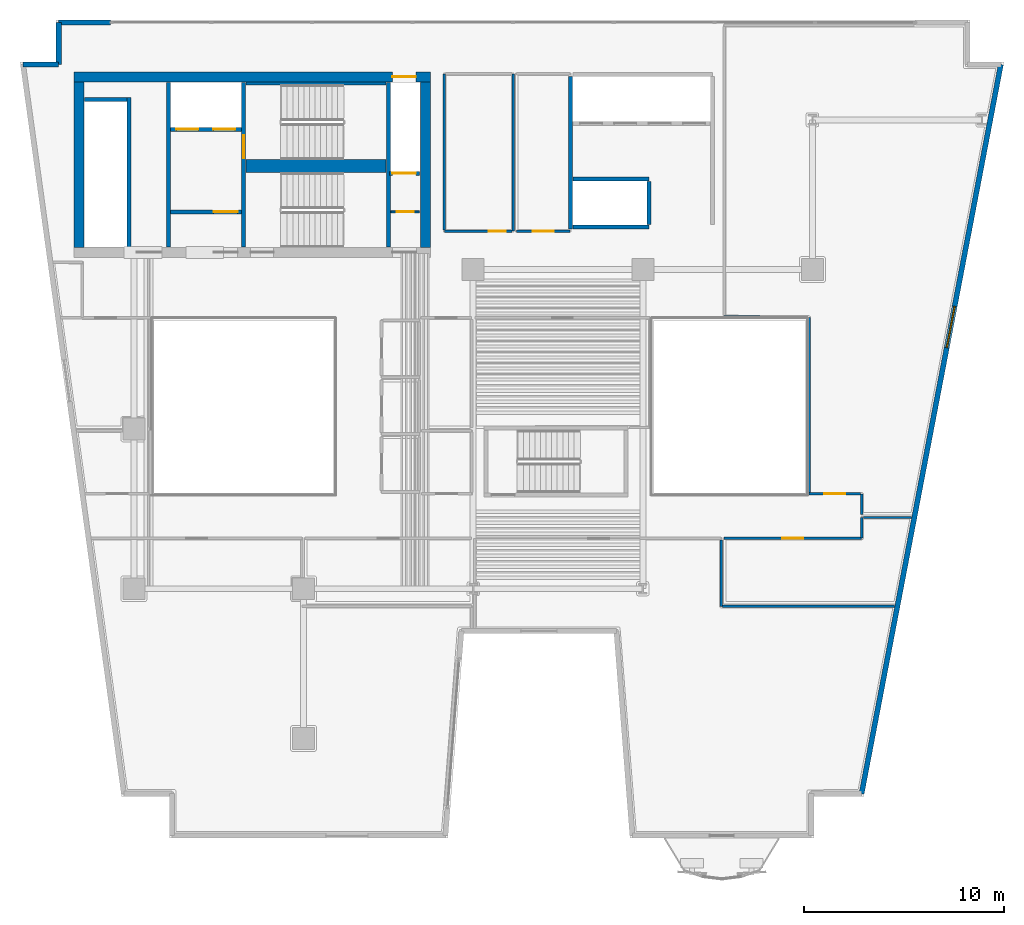
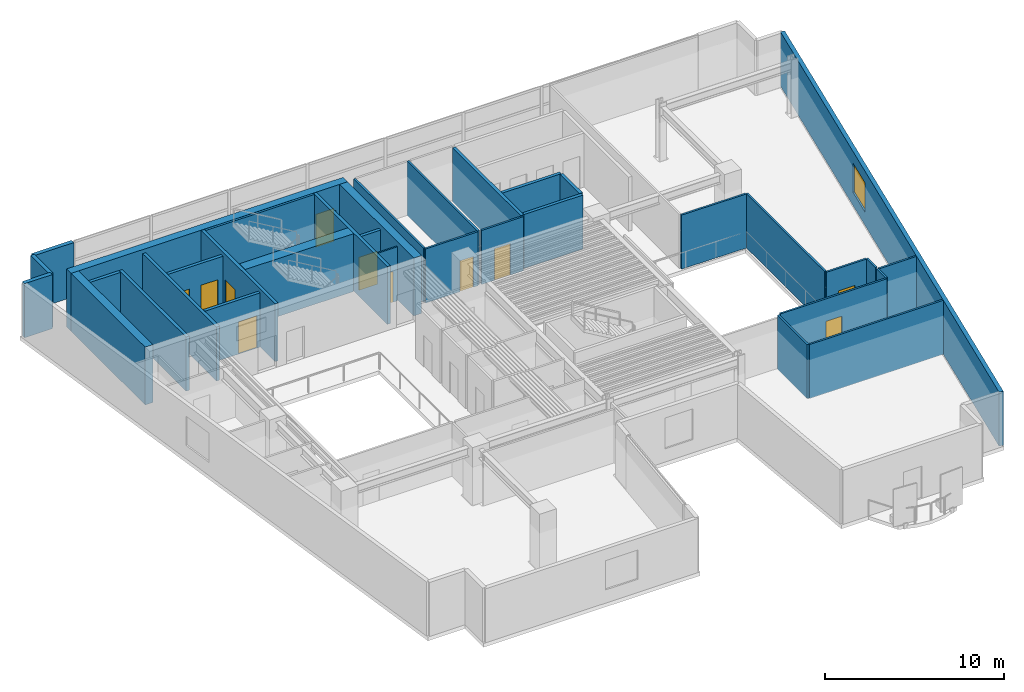
# One storey, part 7 of 12: 35 walls, 11 doors, 1 window, 12 openings.
"""IFC4 building model written with IfcOpenShell, lengths in metres."""

from ifc_helpers import new_model, si_unit, direction, frame, frame_2d, origin, place, context, subcontext, project, spatial, rectangle, extrude, material, layer, layer_set, type_object, element, fill, save


model = new_model("IFC4")

# Units and contexts
model_context = context("Model", 3, precision=1e-05, world=origin(), true_north=direction((0.0, 1.0)))
body_context = subcontext(model_context, "Body", "Model", "MODEL_VIEW")
ifc_project = project(units=[si_unit("LENGTHUNIT", "METRE"), si_unit("AREAUNIT", "SQUARE_METRE"), si_unit("VOLUMEUNIT", "CUBIC_METRE"), si_unit("PLANEANGLEUNIT", "RADIAN"), si_unit("MASSUNIT", "GRAM", prefix="KILO")], contexts=[model_context])

# Site, building, storey
site_placement = place(None, origin())
site = spatial("IfcSite", under=ifc_project, at=site_placement, CompositionType="ELEMENT")
building_placement = place(site_placement, origin())
building = spatial("IfcBuilding", under=site, at=building_placement, Name="Caeloran Harvest Quay", CompositionType="ELEMENT")
storey_placement = place(building_placement, frame((0.0, 0.0, 115.35009765625)))
storey = spatial("IfcBuildingStorey", under=building, at=storey_placement, Name="L26", CompositionType="ELEMENT", Elevation=115.35009765625)

# Walls
ifc_material_1 = material(Name="Precast concrete C50/60", Category="concrete")
ifc_layer_1 = layer(ifc_material_1, 0.260009765625, Name="Precast concrete C50/60")
ifc_layer_set_1 = layer_set([ifc_layer_1], Name="Precast concrete C50/60")
wall_type_1 = type_object("IfcWallType", Name="ENV-WALL-EW-260", PredefinedType="STANDARD", material=ifc_layer_set_1)
wall_1_placement = place(storey_placement, frame((2.939697265625, 41.27001953125, 0.0), z_axis=(0.0, 0.0, 1.0), x_axis=(1.0, 0.0, 0.0)))
element("IfcWall", 1, at=wall_1_placement, inside=storey, type_object=wall_type_1, Name="L26 Exterior Precast Concrete Facade Wall 4", PredefinedType="STANDARD", context=body_context, shape_type="SweptSolid", body=[
    extrude(rectangle(XDim=1.790283203125, YDim=0.260009765625, at=frame_2d((0.89501953125, 0.0))), origin(), (0.0, 0.0, 1.0), 3.68994140625),
])
wall_2_placement = place(storey_placement, frame((4.72998046875, 41.27001953125, 0.0), z_axis=(0.0, 0.0, 1.0), x_axis=(0.0, 1.0, 0.0)))
element("IfcWall", 2, at=wall_2_placement, inside=storey, type_object=wall_type_1, Name="L26 Exterior Precast Concrete Facade Wall 5", PredefinedType="STANDARD", context=body_context, shape_type="SweptSolid", body=[
    extrude(rectangle(XDim=2.10009765625, YDim=0.260009765625, at=frame_2d((1.050048828125, 0.0))), origin(), (0.0, 0.0, 1.0), 3.68994140625),
])
wall_3_placement = place(storey_placement, frame((4.72998046875, 43.3701171875, 0.0), z_axis=(0.0, 0.0, 1.0), x_axis=(1.0, 0.0, 0.0)))
element("IfcWall", 3, at=wall_3_placement, inside=storey, type_object=wall_type_1, Name="L26 Exterior Facade Corner Pier Wall 6A", PredefinedType="STANDARD", context=body_context, shape_type="SweptSolid", body=[
    extrude(rectangle(XDim=2.60009765625, YDim=0.260009765625, at=frame_2d((1.300048828125, 0.0))), origin(), (0.0, 0.0, 1.0), 3.68994140625),
])

# Wall, opening, window
wall_4_placement = place(storey_placement, frame((51.94189453125, 41.27001953125, 0.0), z_axis=(0.0, 0.0, 1.0), x_axis=(-0.187592192405, -0.982247000173, 0.0)))
wall_4 = element("IfcWall", 4, at=wall_4_placement, inside=storey, type_object=wall_type_1, Name="L26 Exterior Precast Concrete Facade Wall 9", PredefinedType="STANDARD", context=body_context, shape_type="SweptSolid", body=[
    extrude(rectangle(XDim=37.200439453125, YDim=0.260009765625, at=frame_2d((18.60009765625, 0.0))), origin(), (0.0, 0.0, 1.0), 3.68994140625),
])
opening_1_placement = place(wall_4_placement, frame((12.342041015625, 0.0, 0.89990234375)))
opening_1 = element("IfcOpeningElement", 5, at=opening_1_placement, cuts=wall_4, Name="Opening W-06", PredefinedType="OPENING", context=body_context, shape_type="SweptSolid", body=[
    extrude(rectangle(XDim=2.10009765625, YDim=2.0, at=frame_2d((1.050048828125, 1.0))), frame((0.0, 0.14013671875, 0.0), z_axis=(0.0, -1.0, 0.0), x_axis=(1.0, 0.0, 0.0)), (0.0, 0.0, 1.0), 0.280029296875),
])
ifc_material_2 = material(Name="Aluminium-Framed Low-E Laminated Glass", Category="aluminium")
window_type = type_object("IfcWindowType", Name="WIN-W-06", PartitioningType="DOUBLE_PANEL_VERTICAL", PredefinedType="WINDOW", material=ifc_material_2)
window_placement = place(opening_1_placement, origin())
window = element("IfcWindow", 6, at=window_placement, inside=storey, type_object=window_type, Name="L26 Facade Punched Window W-06", OverallHeight=2.0, OverallWidth=2.10009765625, PartitioningType="DOUBLE_PANEL_VERTICAL", PredefinedType="WINDOW", context=body_context, shape_type="SweptSolid", body=[
    extrude(rectangle(XDim=2.10009765625, YDim=2.0, at=frame_2d((1.050048828125, 1.0))), frame((0.0, 0.030029296875, 0.0), z_axis=(0.0, -1.0, 0.0), x_axis=(1.0, 0.0, 0.0)), (0.0, 0.0, 1.0), 0.06005859375),
])
fill(opening_1, window)

# Wall, opening, door
ifc_material_3 = material(Name="Fire-Resisting Gypsum Core Riser Partition", Category="gypsum")
ifc_layer_2 = layer(ifc_material_3, 0.10009765625, Name="Fire-Resisting Gypsum Core Riser Partition")
ifc_layer_set_2 = layer_set([ifc_layer_2], Name="Fire-Resisting Gypsum Core Riser Partition")
wall_type_2 = type_object("IfcWallType", Name="INT-WALL-PW-100", PredefinedType="PARTITIONING", material=ifc_layer_set_2)
wall_5_placement = place(storey_placement, frame((21.3798828125, 33.889892578125, 0.0), z_axis=(0.0, 0.0, 1.0), x_axis=(1.0, 0.0, 0.0)))
wall_5 = element("IfcWall", 7, at=wall_5_placement, inside=storey, type_object=wall_type_2, Name="L26 Cleaner Store Partition Wall", PredefinedType="PARTITIONING", context=body_context, shape_type="SweptSolid", body=[
    extrude(rectangle(XDim=1.420166015625, YDim=0.10009765625, at=frame_2d((0.7099609375, 0.0))), origin(), (0.0, 0.0, 1.0), 3.68994140625),
])
opening_2_placement = place(wall_5_placement, frame((0.280029296875, 0.0, 0.0)))
opening_2 = element("IfcOpeningElement", 8, at=opening_2_placement, cuts=wall_5, Name="Opening SV-01", PredefinedType="OPENING", context=body_context, shape_type="SweptSolid", body=[
    extrude(rectangle(XDim=0.85009765625, YDim=2.10009765625, at=frame_2d((0.425048828125, 1.050048828125))), frame((0.0, 0.06005859375, 0.0), z_axis=(0.0, -1.0, 0.0), x_axis=(1.0, 0.0, 0.0)), (0.0, 0.0, 1.0), 0.1201171875),
])
ifc_material_4 = material(Name="Galvanized Painted Steel", Category="steel")
door_type_1 = type_object("IfcDoorType", Name="INTDOOR-SV-01", OperationType="NOTDEFINED", PredefinedType="DOOR", material=ifc_material_4)
door_1_placement = place(opening_2_placement, origin())
door_1 = element("IfcDoor", 9, at=door_1_placement, inside=storey, type_object=door_type_1, Name="L26 Cleaner Supply Store Access Door", OperationType="SINGLE_SWING_RIGHT", OverallHeight=2.10009765625, OverallWidth=0.85009765625, PredefinedType="DOOR", context=body_context, shape_type="SweptSolid", body=[
    extrude(rectangle(XDim=0.85009765625, YDim=2.10009765625, at=frame_2d((0.425048828125, 1.050048828125))), frame((0.0, 0.02490234375, 0.0), z_axis=(0.0, -1.0, 0.0), x_axis=(1.0, 0.0, 0.0)), (0.0, 0.0, 1.0), 0.050048828125),
])
fill(opening_2, door_1)

# Wall
ifc_material_5 = material(Name="Twin-Stud Mineral-Wool Acoustic Gypsum Partition", Category="gypsum")
ifc_layer_3 = layer(ifc_material_5, 0.125, Name="Twin-Stud Mineral-Wool Acoustic Gypsum Partition")
ifc_layer_set_3 = layer_set([ifc_layer_3], Name="Twin-Stud Mineral-Wool Acoustic Gypsum Partition")
wall_type_3 = type_object("IfcWallType", Name="INT-WALL-PW-125", PredefinedType="PARTITIONING", material=ifc_layer_set_3)
wall_6_placement = place(storey_placement, frame((27.5, 40.800048828125, 0.0), z_axis=(0.0, 0.0, 1.0), x_axis=(0.0, -1.0, 0.0)))
element("IfcWall", 10, at=wall_6_placement, inside=storey, type_object=wall_type_3, Name="L26 Bioinformatics Briefing Lounge Partition Wall", PredefinedType="PARTITIONING", context=body_context, shape_type="SweptSolid", body=[
    extrude(rectangle(XDim=7.880126953125, YDim=0.125, at=frame_2d((3.93994140625, 0.0))), origin(), (0.0, 0.0, 1.0), 3.68994140625),
])

# Wall, opening, door
wall_7_placement = place(storey_placement, frame((27.4326171875, 32.919921875, 0.0), z_axis=(0.0, 0.0, 1.0), x_axis=(-1.0, 0.0, 0.0)))
wall_7 = element("IfcWall", 11, at=wall_7_placement, inside=storey, type_object=wall_type_3, Name="L26 Bioinformatics Briefing Lounge Partition Wall", PredefinedType="PARTITIONING", context=body_context, shape_type="SweptSolid", body=[
    extrude(rectangle(XDim=3.382568359375, YDim=0.125, at=frame_2d((1.69140625, 0.0))), origin(), (0.0, 0.0, 1.0), 3.68994140625),
])
opening_3_placement = place(wall_7_placement, frame((0.303466796875, 0.0, 0.0)))
opening_3 = element("IfcOpeningElement", 12, at=opening_3_placement, cuts=wall_7, Name="Opening SV-01", PredefinedType="OPENING", context=body_context, shape_type="SweptSolid", body=[
    extrude(rectangle(XDim=0.85009765625, YDim=2.10009765625, at=frame_2d((0.425048828125, 1.050048828125))), frame((0.0, 0.072509765625, 0.0), z_axis=(0.0, -1.0, 0.0), x_axis=(1.0, 0.0, 0.0)), (0.0, 0.0, 1.0), 0.14501953125),
])
door_2_placement = place(opening_3_placement, origin())
door_2 = element("IfcDoor", 13, at=door_2_placement, inside=storey, type_object=door_type_1, Name="L26 Bioinformatics Briefing Lounge Access Door", OperationType="SINGLE_SWING_RIGHT", OverallHeight=2.10009765625, OverallWidth=0.85009765625, PredefinedType="DOOR", context=body_context, shape_type="SweptSolid", body=[
    extrude(rectangle(XDim=0.85009765625, YDim=2.10009765625, at=frame_2d((0.425048828125, 1.050048828125))), frame((0.0, 0.02490234375, 0.0), z_axis=(0.0, -1.0, 0.0), x_axis=(1.0, 0.0, 0.0)), (0.0, 0.0, 1.0), 0.050048828125),
])
fill(opening_3, door_2)

# Wall
wall_8_placement = place(storey_placement, frame((24.050048828125, 32.987548828125, 0.0), z_axis=(0.0, 0.0, 1.0), x_axis=(0.0, 1.0, 0.0)))
element("IfcWall", 14, at=wall_8_placement, inside=storey, type_object=wall_type_3, Name="L26 Bioinformatics Briefing Lounge Partition Wall", PredefinedType="PARTITIONING", context=body_context, shape_type="SweptSolid", body=[
    extrude(rectangle(XDim=7.8125, YDim=0.125, at=frame_2d((3.90625, 0.0))), origin(), (0.0, 0.0, 1.0), 3.68994140625),
])

# Wall, opening, door
wall_9_placement = place(storey_placement, frame((30.35009765625, 32.919921875, 0.0), z_axis=(0.0, 0.0, 1.0), x_axis=(-1.0, 0.0, 0.0)))
wall_9 = element("IfcWall", 15, at=wall_9_placement, inside=storey, type_object=wall_type_3, Name="L26 Seed Imaging Laboratory Partition Wall", PredefinedType="PARTITIONING", context=body_context, shape_type="SweptSolid", body=[
    extrude(rectangle(XDim=2.690185546875, YDim=0.125, at=frame_2d((1.34521484375, 0.0))), origin(), (0.0, 0.0, 1.0), 3.68994140625),
])
opening_4_placement = place(wall_9_placement, frame((0.820068359375, 0.0, 0.0)))
opening_4 = element("IfcOpeningElement", 16, at=opening_4_placement, cuts=wall_9, Name="Opening ID-03", PredefinedType="OPENING", context=body_context, shape_type="SweptSolid", body=[
    extrude(rectangle(XDim=1.050048828125, YDim=2.14990234375, at=frame_2d((0.52490234375, 1.074951171875))), frame((0.0, 0.072509765625, 0.0), z_axis=(0.0, -1.0, 0.0), x_axis=(1.0, 0.0, 0.0)), (0.0, 0.0, 1.0), 0.14501953125),
])
ifc_material_6 = material(Name="FSC Solid-Core Oak Timber Leaf", Category="wood")
door_type_2 = type_object("IfcDoorType", Name="INTDOOR-ID-03", OperationType="NOTDEFINED", PredefinedType="DOOR", material=ifc_material_6)
door_3_placement = place(opening_4_placement, origin())
door_3 = element("IfcDoor", 17, at=door_3_placement, inside=storey, type_object=door_type_2, Name="L26 Seed Imaging Laboratory Access Door", OperationType="SINGLE_SWING_LEFT", OverallHeight=2.14990234375, OverallWidth=1.050048828125, PredefinedType="DOOR", context=body_context, shape_type="SweptSolid", body=[
    extrude(rectangle(XDim=1.050048828125, YDim=2.14990234375, at=frame_2d((0.52490234375, 1.074951171875))), frame((0.0, 0.02490234375, 0.0), z_axis=(0.0, -1.0, 0.0), x_axis=(1.0, 0.0, 0.0)), (0.0, 0.0, 1.0), 0.050048828125),
])
fill(opening_4, door_3)

# Walls
wall_10_placement = place(storey_placement, frame((37.919921875, 17.452392578125, 0.0), z_axis=(0.0, 0.0, 1.0), x_axis=(0.0, -1.0, 0.0)))
element("IfcWall", 18, at=wall_10_placement, inside=storey, type_object=wall_type_3, Name="Crop Genomics Wet Laboratory Partition Wall", PredefinedType="PARTITIONING", context=body_context, shape_type="SweptSolid", body=[
    extrude(rectangle(XDim=3.332275390625, YDim=0.125, at=frame_2d((1.666015625, 0.0))), origin(), (0.0, 0.0, 1.0), 3.68994140625),
])
wall_11_placement = place(storey_placement, frame((37.987548828125, 14.1201171875, 0.0), z_axis=(0.0, 0.0, 1.0), x_axis=(1.0, 0.0, 0.0)))
element("IfcWall", 19, at=wall_11_placement, inside=storey, type_object=wall_type_3, Name="Crop Genomics Wet Laboratory Partition Wall", PredefinedType="PARTITIONING", context=body_context, shape_type="SweptSolid", body=[
    extrude(rectangle(XDim=8.6318359375, YDim=0.125, at=frame_2d((4.31591796875, 0.0))), origin(), (0.0, 0.0, 1.0), 3.68994140625),
])
wall_12_placement = place(storey_placement, frame((44.97998046875, 17.550048828125, 0.0), z_axis=(0.0, 0.0, 1.0), x_axis=(0.0, 1.0, 0.0)))
element("IfcWall", 20, at=wall_12_placement, inside=storey, type_object=wall_type_3, Name="Patent Strategy Office Partition Wall", PredefinedType="PARTITIONING", context=body_context, shape_type="SweptSolid", body=[
    extrude(rectangle(XDim=1.02001953125, YDim=0.125, at=frame_2d((0.510009765625, 0.0))), origin(), (0.0, 0.0, 1.0), 3.68994140625),
])
wall_13_placement = place(storey_placement, frame((45.047607421875, 18.570068359375, 0.0), z_axis=(0.0, 0.0, 1.0), x_axis=(1.0, 0.0, 0.0)))
element("IfcWall", 21, at=wall_13_placement, inside=storey, type_object=wall_type_3, Name="Patent Strategy Office Partition Wall", PredefinedType="PARTITIONING", context=body_context, shape_type="SweptSolid", body=[
    extrude(rectangle(XDim=2.421630859375, YDim=0.125, at=frame_2d((1.2109375, 0.0))), origin(), (0.0, 0.0, 1.0), 3.68994140625),
])

# Wall, opening, door
wall_14_placement = place(storey_placement, frame((38.080078125, 17.52001953125, 0.0), z_axis=(0.0, 0.0, 1.0), x_axis=(1.0, 0.0, 0.0)))
wall_14 = element("IfcWall", 22, at=wall_14_placement, inside=storey, type_object=wall_type_3, Name="Patent Strategy Office Partition Wall", PredefinedType="PARTITIONING", context=body_context, shape_type="SweptSolid", body=[
    extrude(rectangle(XDim=6.869873046875, YDim=0.125, at=frame_2d((3.43505859375, 0.0))), origin(), (0.0, 0.0, 1.0), 3.68994140625),
])
opening_5_placement = place(wall_14_placement, frame((2.909912109375, 0.0, 0.0)))
opening_5 = element("IfcOpeningElement", 23, at=opening_5_placement, cuts=wall_14, Name="Opening ID-03", PredefinedType="OPENING", context=body_context, shape_type="SweptSolid", body=[
    extrude(rectangle(XDim=1.050048828125, YDim=2.14990234375, at=frame_2d((0.52490234375, 1.074951171875))), frame((0.0, 0.072509765625, 0.0), z_axis=(0.0, -1.0, 0.0), x_axis=(1.0, 0.0, 0.0)), (0.0, 0.0, 1.0), 0.14501953125),
])
door_4_placement = place(opening_5_placement, origin())
door_4 = element("IfcDoor", 24, at=door_4_placement, inside=storey, type_object=door_type_2, Name="Patent Strategy Office Access Door", OperationType="SINGLE_SWING_RIGHT", OverallHeight=2.14990234375, OverallWidth=1.050048828125, PredefinedType="DOOR", context=body_context, shape_type="SweptSolid", body=[
    extrude(rectangle(XDim=1.050048828125, YDim=2.14990234375, at=frame_2d((0.52490234375, 1.074951171875))), frame((0.0, 0.02490234375, 0.0), z_axis=(0.0, -1.0, 0.0), x_axis=(1.0, 0.0, 0.0)), (0.0, 0.0, 1.0), 0.050048828125),
])
fill(opening_5, door_4)

# Wall
wall_15_placement = place(storey_placement, frame((44.97998046875, 18.72998046875, 0.0), z_axis=(0.0, 0.0, 1.0), x_axis=(0.0, 1.0, 0.0)))
element("IfcWall", 25, at=wall_15_placement, inside=storey, type_object=wall_type_3, Name="Phenotyping Sensor Laboratory 10 Partition Wall", PredefinedType="PARTITIONING", context=body_context, shape_type="SweptSolid", body=[
    extrude(rectangle(XDim=1.02001953125, YDim=0.125, at=frame_2d((0.510009765625, 0.0))), origin(), (0.0, 0.0, 1.0), 3.68994140625),
])

# Wall, opening, door
wall_16_placement = place(storey_placement, frame((44.91259765625, 19.75, 0.0), z_axis=(0.0, 0.0, 1.0), x_axis=(-1.0, 0.0, 0.0)))
wall_16 = element("IfcWall", 26, at=wall_16_placement, inside=storey, type_object=wall_type_3, Name="Phenotyping Sensor Laboratory 10 Partition Wall", PredefinedType="PARTITIONING", context=body_context, shape_type="SweptSolid", body=[
    extrude(rectangle(XDim=2.58251953125, YDim=0.125, at=frame_2d((1.291259765625, 0.0))), origin(), (0.0, 0.0, 1.0), 3.68994140625),
])
opening_6_placement = place(wall_16_placement, frame((0.766357421875, 0.0, 0.0)))
opening_6 = element("IfcOpeningElement", 27, at=opening_6_placement, cuts=wall_16, Name="Opening ID-03", PredefinedType="OPENING", context=body_context, shape_type="SweptSolid", body=[
    extrude(rectangle(XDim=1.050048828125, YDim=2.14990234375, at=frame_2d((0.52490234375, 1.074951171875))), frame((0.0, 0.072509765625, 0.0), z_axis=(0.0, -1.0, 0.0), x_axis=(1.0, 0.0, 0.0)), (0.0, 0.0, 1.0), 0.14501953125),
])
door_5_placement = place(opening_6_placement, origin())
door_5 = element("IfcDoor", 28, at=door_5_placement, inside=storey, type_object=door_type_2, Name="Phenotyping Sensor Laboratory 10 Access Door", OperationType="SINGLE_SWING_RIGHT", OverallHeight=2.14990234375, OverallWidth=1.050048828125, PredefinedType="DOOR", context=body_context, shape_type="SweptSolid", body=[
    extrude(rectangle(XDim=1.050048828125, YDim=2.14990234375, at=frame_2d((0.52490234375, 1.074951171875))), frame((0.0, 0.02490234375, 0.0), z_axis=(0.0, -1.0, 0.0), x_axis=(1.0, 0.0, 0.0)), (0.0, 0.0, 1.0), 0.050048828125),
])
fill(opening_6, door_5)

# Walls
wall_17_placement = place(storey_placement, frame((42.330078125, 19.8173828125, 0.0), z_axis=(0.0, 0.0, 1.0), x_axis=(0.0, 1.0, 0.0)))
element("IfcWall", 29, at=wall_17_placement, inside=storey, type_object=wall_type_3, Name="Phenotyping Sensor Laboratory 10 Partition Wall", PredefinedType="PARTITIONING", context=body_context, shape_type="SweptSolid", body=[
    extrude(rectangle(XDim=8.78271484375, YDim=0.125, at=frame_2d((4.391357421875, 0.0))), origin(), (0.0, 0.0, 1.0), 3.68994140625),
])
wall_18_placement = place(storey_placement, frame((42.262451171875, 28.6005859375, 0.0), z_axis=(0.0, 0.0, 1.0), x_axis=(-0.999975466976, 0.007004673168, 0.0)))
element("IfcWall", 30, at=wall_18_placement, inside=storey, type_object=wall_type_3, Name="Phenotyping Sensor Laboratory 10 Partition Wall", PredefinedType="PARTITIONING", context=body_context, shape_type="SweptSolid", body=[
    extrude(rectangle(XDim=4.182373046875, YDim=0.125, at=frame_2d((2.09130859375, 0.0))), origin(), (0.0, 0.0, 1.0), 3.68994140625),
])
ifc_material_7 = material(Name="Concrete C50/60", Category="concrete")
ifc_layer_4 = layer(ifc_material_7, 0.199951171875, Name="Concrete C50/60")
ifc_layer_set_4 = layer_set([ifc_layer_4], Name="Concrete C50/60")
wall_type_4 = type_object("IfcWallType", Name="INT-WALL-SW-200", PredefinedType="PARTITIONING", material=ifc_layer_set_4)
wall_19_placement = place(storey_placement, frame((8.260009765625, 32.1201171875, 0.0), z_axis=(0.0, 0.0, 1.0), x_axis=(0.0, 1.0, 0.0)))
element("IfcWall", 31, at=wall_19_placement, inside=storey, type_object=wall_type_4, Name="L26 Bank 3 Lift Shaft Wall", PredefinedType="PARTITIONING", context=body_context, shape_type="SweptSolid", body=[
    extrude(rectangle(XDim=7.5, YDim=0.199951171875, at=frame_2d((3.75, 0.0))), origin(), (0.0, 0.0, 1.0), 3.68994140625),
])
wall_20_placement = place(storey_placement, frame((6.02001953125, 39.52001953125, 0.0), z_axis=(0.0, 0.0, 1.0), x_axis=(1.0, 0.0, 0.0)))
element("IfcWall", 32, at=wall_20_placement, inside=storey, type_object=wall_type_4, Name="L26 Bank 3 Lift Shaft North End Wall", PredefinedType="PARTITIONING", context=body_context, shape_type="SweptSolid", body=[
    extrude(rectangle(XDim=2.119873046875, YDim=0.199951171875, at=frame_2d((1.06005859375, 0.0))), origin(), (0.0, 0.0, 1.0), 3.68994140625),
])
wall_21_placement = place(storey_placement, frame((10.219970703125, 32.1201171875, 0.0), z_axis=(0.0, 0.0, 1.0), x_axis=(0.0, 1.0, 0.0)))
element("IfcWall", 33, at=wall_21_placement, inside=storey, type_object=wall_type_4, Name="L26 Core Lobby Compartment Wall", PredefinedType="PARTITIONING", context=body_context, shape_type="SweptSolid", body=[
    extrude(rectangle(XDim=8.259765625, YDim=0.199951171875, at=frame_2d((4.1298828125, 0.0))), origin(), (0.0, 0.0, 1.0), 3.68994140625),
])

# Wall, openings, doors
wall_22_placement = place(storey_placement, frame((10.340087890625, 38.02001953125, 0.0), z_axis=(0.0, 0.0, 1.0), x_axis=(1.0, 0.0, 0.0)))
wall_22 = element("IfcWall", 34, at=wall_22_placement, inside=storey, type_object=wall_type_4, Name="L26 Firefighting Lift Shaft Wall", PredefinedType="PARTITIONING", context=body_context, shape_type="SweptSolid", body=[
    extrude(rectangle(XDim=3.539794921875, YDim=0.199951171875, at=frame_2d((1.77001953125, 0.0))), origin(), (0.0, 0.0, 1.0), 3.68994140625),
])
opening_7_placement = place(wall_22_placement, frame((0.284912109375, 0.0, 0.0)))
opening_7 = element("IfcOpeningElement", 35, at=opening_7_placement, cuts=wall_22, Name="Opening LD-01", PredefinedType="OPENING", context=body_context, shape_type="SweptSolid", body=[
    extrude(rectangle(XDim=1.10009765625, YDim=2.199951171875, at=frame_2d((0.550048828125, 1.10009765625))), frame((0.0, 0.10986328125, 0.0), z_axis=(0.0, -1.0, 0.0), x_axis=(1.0, 0.0, 0.0)), (0.0, 0.0, 1.0), 0.219970703125),
])
opening_8_placement = place(wall_22_placement, frame((2.135009765625, 0.0, 0.0)))
opening_8 = element("IfcOpeningElement", 36, at=opening_8_placement, cuts=wall_22, Name="Opening LD-01", PredefinedType="OPENING", context=body_context, shape_type="SweptSolid", body=[
    extrude(rectangle(XDim=1.10009765625, YDim=2.199951171875, at=frame_2d((0.550048828125, 1.10009765625))), frame((0.0, 0.10986328125, 0.0), z_axis=(0.0, -1.0, 0.0), x_axis=(1.0, 0.0, 0.0)), (0.0, 0.0, 1.0), 0.219970703125),
])
ifc_material_8 = material(Name="Stainless Steel Grade 316", Category="steel")
door_type_3 = type_object("IfcDoorType", Name="INTDOOR-LD-01", OperationType="NOTDEFINED", PredefinedType="DOOR", material=ifc_material_8)
door_6_placement = place(opening_7_placement, origin())
door_6 = element("IfcDoor", 37, at=door_6_placement, inside=storey, type_object=door_type_3, Name="Lift FF-1 Sliding Landing Door (L26)", OperationType="DOUBLE_DOOR_SLIDING", OverallHeight=2.199951171875, OverallWidth=1.10009765625, PredefinedType="DOOR", context=body_context, shape_type="SweptSolid", body=[
    extrude(rectangle(XDim=1.10009765625, YDim=2.199951171875, at=frame_2d((0.550048828125, 1.10009765625))), frame((0.0, 0.02490234375, 0.0), z_axis=(0.0, -1.0, 0.0), x_axis=(1.0, 0.0, 0.0)), (0.0, 0.0, 1.0), 0.050048828125),
])
fill(opening_7, door_6)
door_7_placement = place(opening_8_placement, origin())
door_7 = element("IfcDoor", 38, at=door_7_placement, inside=storey, type_object=door_type_3, Name="Lift FF-2 Sliding Landing Door (L26)", OperationType="DOUBLE_DOOR_SLIDING", OverallHeight=2.199951171875, OverallWidth=1.10009765625, PredefinedType="DOOR", context=body_context, shape_type="SweptSolid", body=[
    extrude(rectangle(XDim=1.10009765625, YDim=2.199951171875, at=frame_2d((0.550048828125, 1.10009765625))), frame((0.0, 0.02490234375, 0.0), z_axis=(0.0, -1.0, 0.0), x_axis=(1.0, 0.0, 0.0)), (0.0, 0.0, 1.0), 0.050048828125),
])
fill(opening_8, door_7)

# Wall, opening, door
wall_23_placement = place(storey_placement, frame((10.340087890625, 33.8798828125, 0.0), z_axis=(0.0, 0.0, 1.0), x_axis=(1.0, 0.0, 0.0)))
wall_23 = element("IfcWall", 39, at=wall_23_placement, inside=storey, type_object=wall_type_4, Name="L26 Firefighting Lift Lobby Enclosure Wall", PredefinedType="PARTITIONING", context=body_context, shape_type="SweptSolid", body=[
    extrude(rectangle(XDim=3.559814453125, YDim=0.199951171875, at=frame_2d((1.77978515625, 0.0))), origin(), (0.0, 0.0, 1.0), 3.68994140625),
])
opening_9_placement = place(wall_23_placement, frame((2.14990234375, 0.0, 0.0)))
opening_9 = element("IfcOpeningElement", 40, at=opening_9_placement, cuts=wall_23, Name="Opening FD-01", PredefinedType="OPENING", context=body_context, shape_type="SweptSolid", body=[
    extrude(rectangle(XDim=1.199951171875, YDim=2.199951171875, at=frame_2d((0.60009765625, 1.10009765625))), frame((0.0, 0.10986328125, 0.0), z_axis=(0.0, -1.0, 0.0), x_axis=(1.0, 0.0, 0.0)), (0.0, 0.0, 1.0), 0.219970703125),
])
ifc_material_9 = material(Name="Steel", Category="steel")
door_type_4 = type_object("IfcDoorType", Name="INTDOOR-FD-01", OperationType="NOTDEFINED", PredefinedType="DOOR", material=ifc_material_9)
door_8_placement = place(opening_9_placement, origin())
door_8 = element("IfcDoor", 41, at=door_8_placement, inside=storey, type_object=door_type_4, Name="L26 Firefighting Lift Lobby Smoke-Seal Fire Door", OperationType="SINGLE_SWING_LEFT", OverallHeight=2.199951171875, OverallWidth=1.199951171875, PredefinedType="DOOR", context=body_context, shape_type="SweptSolid", body=[
    extrude(rectangle(XDim=1.199951171875, YDim=2.199951171875, at=frame_2d((0.60009765625, 1.10009765625))), frame((0.0, 0.02490234375, 0.0), z_axis=(0.0, -1.0, 0.0), x_axis=(1.0, 0.0, 0.0)), (0.0, 0.0, 1.0), 0.050048828125),
])
fill(opening_9, door_8)

wall_24_placement = place(storey_placement, frame((21.300048828125, 35.820068359375, 0.0), z_axis=(0.0, 0.0, 1.0), x_axis=(1.0, 0.0, 0.0)))
wall_24 = element("IfcWall", 42, at=wall_24_placement, inside=storey, type_object=wall_type_4, Name="L26 Service Lift SV-2 Shaft Wall", PredefinedType="PARTITIONING", context=body_context, shape_type="SweptSolid", body=[
    extrude(rectangle(XDim=1.5, YDim=0.199951171875, at=frame_2d((0.75, 0.0))), origin(), (0.0, 0.0, 1.0), 3.68994140625),
])
opening_10_placement = place(wall_24_placement, frame((0.14501953125, 0.0, 0.0)))
opening_10 = element("IfcOpeningElement", 43, at=opening_10_placement, cuts=wall_24, Name="Opening LD-02", PredefinedType="OPENING", context=body_context, shape_type="SweptSolid", body=[
    extrude(rectangle(XDim=1.179931640625, YDim=2.25, at=frame_2d((0.58984375, 1.125))), frame((0.0, 0.10986328125, 0.0), z_axis=(0.0, -1.0, 0.0), x_axis=(1.0, 0.0, 0.0)), (0.0, 0.0, 1.0), 0.219970703125),
])
door_type_5 = type_object("IfcDoorType", Name="INTDOOR-LD-02", OperationType="NOTDEFINED", PredefinedType="DOOR", material=ifc_material_8)
door_9_placement = place(opening_10_placement, origin())
door_9 = element("IfcDoor", 44, at=door_9_placement, inside=storey, type_object=door_type_5, Name="Lift SV-2 Sliding Landing Door (L26)", OperationType="DOUBLE_DOOR_SLIDING", OverallHeight=2.25, OverallWidth=1.179931640625, PredefinedType="DOOR", context=body_context, shape_type="SweptSolid", body=[
    extrude(rectangle(XDim=1.179931640625, YDim=2.25, at=frame_2d((0.58984375, 1.125))), frame((0.0, 0.02490234375, 0.0), z_axis=(0.0, -1.0, 0.0), x_axis=(1.0, 0.0, 0.0)), (0.0, 0.0, 1.0), 0.050048828125),
])
fill(opening_10, door_9)

# Walls
wall_25_placement = place(storey_placement, frame((30.3798828125, 33.02001953125, 0.0), z_axis=(0.0, 0.0, 1.0), x_axis=(0.0, 1.0, 0.0)))
element("IfcWall", 45, at=wall_25_placement, inside=storey, type_object=wall_type_4, Name="L26 Bank 2 and Shuttle Lift Shaft West Wall", PredefinedType="PARTITIONING", context=body_context, shape_type="SweptSolid", body=[
    extrude(rectangle(XDim=7.639892578125, YDim=0.199951171875, at=frame_2d((3.81982421875, 0.0))), origin(), (0.0, 0.0, 1.0), 3.68994140625),
])
for number, where, z_axis, x_axis, name in (
    (46, (30.5, 35.530029296875, 0.0), (0.0, 0.0, 1.0), (1.0, 0.0, 0.0), "L26 Shuttle Lift Landing Front Wall"),
    (47, (30.5, 33.1201171875, 0.0), (0.0, 0.0, 1.0), (1.0, 0.0, 0.0), "L26 Shuttle Lift Shaft South Wall"),
):
    element("IfcWall", number, at=place(storey_placement, frame(where, z_axis=z_axis, x_axis=x_axis)), inside=storey, type_object=wall_type_4, Name=name, PredefinedType="PARTITIONING", context=body_context, shape_type="SweptSolid", body=[
        extrude(rectangle(XDim=3.800048828125, YDim=0.199951171875, at=frame_2d((1.89990234375, 0.0))), origin(), (0.0, 0.0, 1.0), 3.68994140625),
    ])
wall_26_placement = place(storey_placement, frame((34.300048828125, 33.239990234375, 0.0), z_axis=(0.0, 0.0, 1.0), x_axis=(0.0, 1.0, 0.0)))
element("IfcWall", 48, at=wall_26_placement, inside=storey, type_object=wall_type_4, Name="L26 Shuttle Lift Shaft East Wall", PredefinedType="PARTITIONING", context=body_context, shape_type="SweptSolid", body=[
    extrude(rectangle(XDim=2.169921875, YDim=0.199951171875, at=frame_2d((1.0849609375, 0.0))), origin(), (0.0, 0.0, 1.0), 3.68994140625),
])

# Wall, opening, door
ifc_material_10 = material(Name="Concrete C70/85", Category="concrete")
ifc_layer_5 = layer(ifc_material_10, 0.5, Name="Concrete C70/85")
ifc_layer_set_5 = layer_set([ifc_layer_5], Name="Concrete C70/85")
wall_type_5 = type_object("IfcWallType", Name="STR-WALL-CW-500", PredefinedType="SHEAR", material=ifc_layer_set_5)
wall_27_placement = place(storey_placement, frame((5.5, 40.64990234375, 0.0), z_axis=(0.0, 0.0, 1.0), x_axis=(1.0, 0.0, 0.0)))
wall_27 = element("IfcWall", 49, at=wall_27_placement, inside=storey, type_object=wall_type_5, Name="L26 Rear Core Shear Wall N", PredefinedType="SHEAR", context=body_context, shape_type="SweptSolid", body=[
    extrude(rectangle(XDim=17.85009765625, YDim=0.5, at=frame_2d((8.925048828125, 0.0))), origin(), (0.0, 0.0, 1.0), 3.949951171875),
])
opening_11_placement = place(wall_27_placement, frame((15.945068359375, 0.0, 0.0)))
opening_11 = element("IfcOpeningElement", 50, at=opening_11_placement, cuts=wall_27, Name="Opening LD-02", PredefinedType="OPENING", context=body_context, shape_type="SweptSolid", body=[
    extrude(rectangle(XDim=1.179931640625, YDim=2.25, at=frame_2d((0.58984375, 1.125))), frame((0.0, 0.260009765625, 0.0), z_axis=(0.0, -1.0, 0.0), x_axis=(1.0, 0.0, 0.0)), (0.0, 0.0, 1.0), 0.52001953125),
])
door_10_placement = place(opening_11_placement, origin())
door_10 = element("IfcDoor", 51, at=door_10_placement, inside=storey, type_object=door_type_5, Name="Lift SV-1 Sliding Landing Door (L26)", OperationType="DOUBLE_DOOR_SLIDING", OverallHeight=2.25, OverallWidth=1.179931640625, PredefinedType="DOOR", context=body_context, shape_type="SweptSolid", body=[
    extrude(rectangle(XDim=1.179931640625, YDim=2.25, at=frame_2d((0.58984375, 1.125))), frame((0.0, 0.02490234375, 0.0), z_axis=(0.0, -1.0, 0.0), x_axis=(1.0, 0.0, 0.0)), (0.0, 0.0, 1.0), 0.050048828125),
])
fill(opening_11, door_10)

# Walls
for number, where, z_axis, x_axis, name in (
    (52, (5.75, 32.10009765625, 0.0), (0.0, 0.0, 1.0), (0.0, 1.0, 0.0), "L26 Rear Core Shear Wall W"),
    (53, (23.10009765625, 32.10009765625, 0.0), (0.0, 0.0, 1.0), (0.0, 1.0, 0.0), "L26 Rear Core Shear Wall E"),
):
    element("IfcWall", number, at=place(storey_placement, frame(where, z_axis=z_axis, x_axis=x_axis)), inside=storey, type_object=wall_type_5, Name=name, PredefinedType="SHEAR", context=body_context, shape_type="SweptSolid", body=[
        extrude(rectangle(XDim=8.2998046875, YDim=0.5, at=frame_2d((4.14990234375, 0.0))), origin(), (0.0, 0.0, 1.0), 3.949951171875),
    ])
ifc_material_11 = material(Name="Concrete C60/75", Category="concrete")
ifc_layer_6 = layer(ifc_material_11, 0.64990234375, Name="Concrete C60/75")
ifc_layer_set_6 = layer_set([ifc_layer_6], Name="Concrete C60/75")
wall_type_6 = type_object("IfcWallType", Name="STR-WALL-CW-650", PredefinedType="SHEAR", material=ifc_layer_set_6)
wall_28_placement = place(storey_placement, frame((14.1201171875, 36.175048828125, 0.0), z_axis=(0.0, 0.0, 1.0), x_axis=(1.0, 0.0, 0.0)))
element("IfcWall", 54, at=wall_28_placement, inside=storey, type_object=wall_type_6, Name="L26 Core Stairs Dividing Shear Wall", PredefinedType="SHEAR", context=body_context, shape_type="SweptSolid", body=[
    extrude(rectangle(XDim=7.009765625, YDim=0.64990234375, at=frame_2d((3.5048828125, 0.0))), origin(), (0.0, 0.0, 1.0), 3.949951171875),
])
ifc_layer_7 = layer(ifc_material_11, 0.139892578125, Name="Concrete C60/75")
ifc_layer_set_7 = layer_set([ifc_layer_7], Name="Concrete C60/75")
wall_type_7 = type_object("IfcWallType", Name="STR-WALL-SW-140", PredefinedType="SHEAR", material=ifc_layer_set_7)
wall_29_placement = place(storey_placement, frame((14.1201171875, 40.320068359375, 0.0), z_axis=(0.0, 0.0, 1.0), x_axis=(1.0, 0.0, 0.0)))
element("IfcWall", 55, at=wall_29_placement, inside=storey, type_object=wall_type_7, Name="L26 Core Stair ST-C1 North Bearing Shear Wall", PredefinedType="SHEAR", context=body_context, shape_type="SweptSolid", body=[
    extrude(rectangle(XDim=7.009765625, YDim=0.139892578125, at=frame_2d((3.5048828125, 0.0))), origin(), (0.0, 0.0, 1.0), 3.949951171875),
])

# Wall, opening, door
ifc_layer_8 = layer(ifc_material_11, 0.199951171875, Name="Concrete C60/75")
ifc_layer_set_8 = layer_set([ifc_layer_8], Name="Concrete C60/75")
wall_type_8 = type_object("IfcWallType", Name="STR-WALL-SW-200", PredefinedType="SHEAR", material=ifc_layer_set_8)
wall_30_placement = place(storey_placement, frame((14.0, 32.1201171875, 0.0), z_axis=(0.0, 0.0, 1.0), x_axis=(0.0, 1.0, 0.0)))
wall_30 = element("IfcWall", 56, at=wall_30_placement, inside=storey, type_object=wall_type_8, Name="L26 Core Stair Shaft West Shear Wall", PredefinedType="SHEAR", context=body_context, shape_type="SweptSolid", body=[
    extrude(rectangle(XDim=8.259765625, YDim=0.199951171875, at=frame_2d((4.1298828125, 0.0))), origin(), (0.0, 0.0, 1.0), 3.949951171875),
])
opening_12_placement = place(wall_30_placement, frame((4.4599609375, 0.0, 0.0)))
opening_12 = element("IfcOpeningElement", 57, at=opening_12_placement, cuts=wall_30, Name="Opening SD-01", PredefinedType="OPENING", context=body_context, shape_type="SweptSolid", body=[
    extrude(rectangle(XDim=1.14990234375, YDim=2.199951171875, at=frame_2d((0.574951171875, 1.10009765625))), frame((0.0, 0.10986328125, 0.0), z_axis=(0.0, -1.0, 0.0), x_axis=(1.0, 0.0, 0.0)), (0.0, 0.0, 1.0), 0.219970703125),
])
door_type_6 = type_object("IfcDoorType", Name="INTDOOR-SD-01", OperationType="NOTDEFINED", PredefinedType="DOOR", material=ifc_material_9)
door_11_placement = place(opening_12_placement, origin())
door_11 = element("IfcDoor", 58, at=door_11_placement, inside=storey, type_object=door_type_6, Name="L26 Protected Stair ST-C1 Exit Door", OperationType="SINGLE_SWING_LEFT", OverallHeight=2.199951171875, OverallWidth=1.14990234375, PredefinedType="DOOR", context=body_context, shape_type="SweptSolid", body=[
    extrude(rectangle(XDim=1.14990234375, YDim=2.199951171875, at=frame_2d((0.574951171875, 1.10009765625))), frame((0.0, 0.02490234375, 0.0), z_axis=(0.0, -1.0, 0.0), x_axis=(1.0, 0.0, 0.0)), (0.0, 0.0, 1.0), 0.050048828125),
])
fill(opening_12, door_11)

# Wall
wall_31_placement = place(storey_placement, frame((21.25, 32.1201171875, 0.0), z_axis=(0.0, 0.0, 1.0), x_axis=(0.0, 1.0, 0.0)))
element("IfcWall", 59, at=wall_31_placement, inside=storey, type_object=wall_type_8, Name="L26 Core Stair Shaft East Shear Wall", PredefinedType="SHEAR", context=body_context, shape_type="SweptSolid", body=[
    extrude(rectangle(XDim=8.259765625, YDim=0.199951171875, at=frame_2d((4.1298828125, 0.0))), origin(), (0.0, 0.0, 1.0), 3.949951171875),
])

save(model, "model.ifc")
